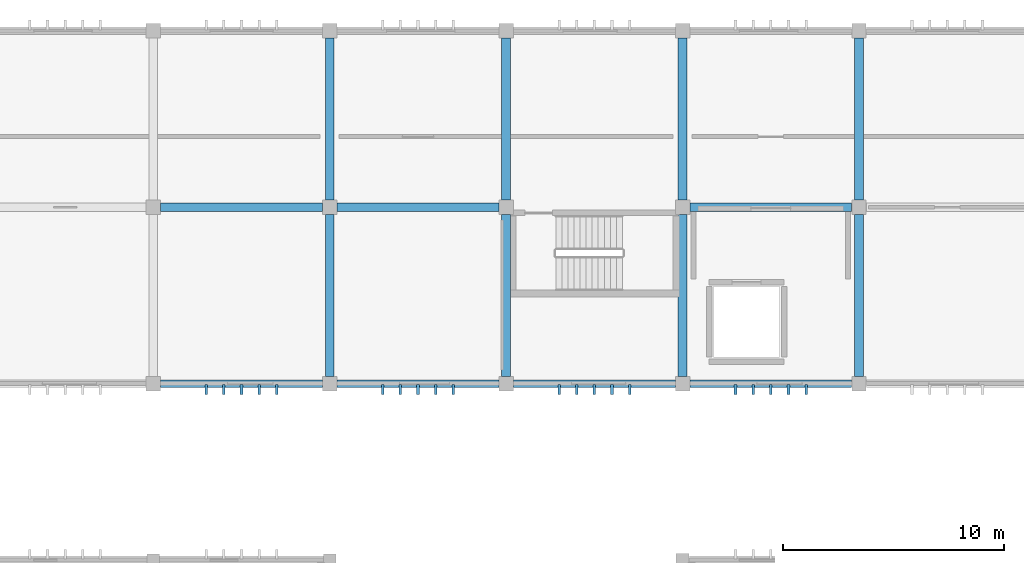
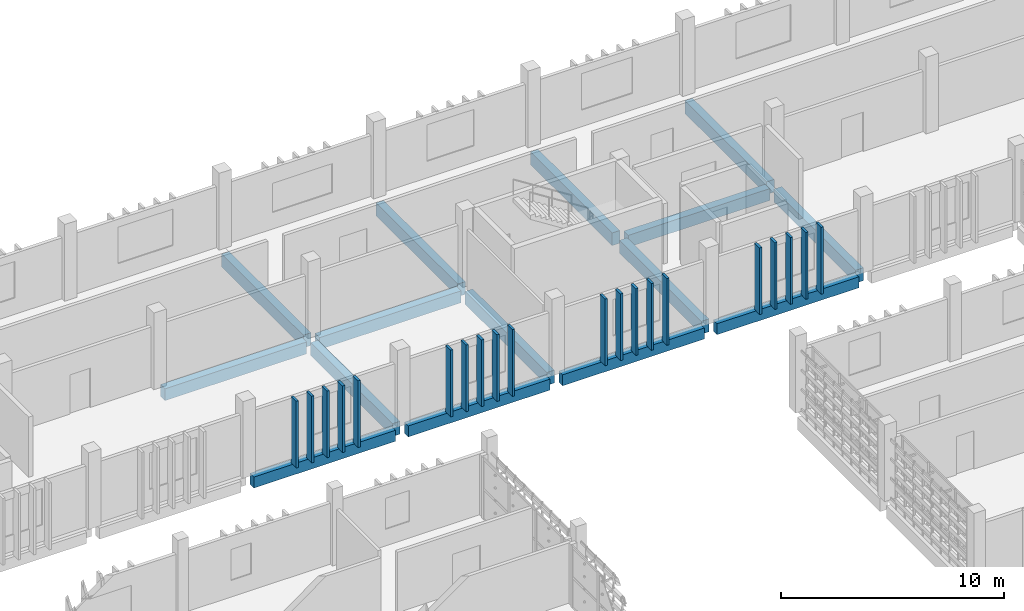
# One storey, part 25 of 63: 20 members, 15 beams.
"""IFC4 building model written with IfcOpenShell, lengths in metres."""

from ifc_helpers import new_model, si_unit, direction, frame, origin, origin_2d, place, context, subcontext, project, spatial, rectangle, extrude, material, material_profile, profile_set, type_object, element, save


model = new_model("IFC4")

# Units and contexts
model_context = context("Model", 3, precision=1e-05, world=origin(), true_north=direction((0.0, 1.0)))
body_context = subcontext(model_context, "Body", "Model", "MODEL_VIEW")
ifc_project = project(units=[si_unit("LENGTHUNIT", "METRE"), si_unit("AREAUNIT", "SQUARE_METRE"), si_unit("VOLUMEUNIT", "CUBIC_METRE"), si_unit("PLANEANGLEUNIT", "RADIAN"), si_unit("MASSUNIT", "GRAM", prefix="KILO")], contexts=[model_context])

# Site, building, storey
site_placement = place(None, origin())
site = spatial("IfcSite", under=ifc_project, at=site_placement, CompositionType="ELEMENT")
building_placement = place(site_placement, origin())
building = spatial("IfcBuilding", under=site, at=building_placement, Name="Jelvoka-Kovrelna Polytechnic", CompositionType="ELEMENT")
storey_placement = place(building_placement, frame((0.0, 0.0, 18.0)))
storey = spatial("IfcBuildingStorey", under=building, at=storey_placement, Name="L05", CompositionType="ELEMENT", Elevation=18.0)

# Beams
ifc_material_1 = material(Name="Concrete C40/50", Category="concrete")
ifc_material_profile_1 = material_profile(ifc_material_1, rectangle(XDim=0.39990234375, YDim=0.64990234375, at=origin_2d()), Name="RC 400x650")
ifc_profile_set_1 = profile_set([ifc_material_profile_1], Name="Concrete C40/50")
beam_type_1 = type_object("IfcBeamType", Name="Beam_RC_400x650", PredefinedType="BEAM", material=ifc_profile_set_1)
for number, where, z_axis, x_axis, name in (
    (1, (104.330078125, 64.0, -0.574951171875), (1.0, 0.0, 0.0), (0.0, 1.0, 0.0), "L05 beam 1517"),
    (2, (112.330078125, 64.0, -0.574951171875), (1.0, 0.0, 0.0), (0.0, 1.0, 0.0), "L05 beam 1551"),
    (3, (128.330078125, 64.0, -0.574951171875), (1.0, 0.0, 0.0), (0.0, 1.0, 0.0), "L05 beam 1552"),
):
    element("IfcBeam", number, at=place(storey_placement, frame(where, z_axis=z_axis, x_axis=x_axis)), inside=storey, type_object=beam_type_1, Name=name, PredefinedType="BEAM", context=body_context, shape_type="SweptSolid", body=[
        extrude(rectangle(XDim=0.39990234375, YDim=0.64990234375, at=origin_2d()), origin(), (0.0, 0.0, 1.0), 7.33984375),
    ])
ifc_material_2 = material(Name="Concrete C40/50", Category="concrete")
ifc_material_profile_2 = material_profile(ifc_material_2, rectangle(XDim=0.39990234375, YDim=0.699951171875, at=origin_2d()), Name="RC 400x700")
ifc_profile_set_2 = profile_set([ifc_material_profile_2], Name="Concrete C40/50")
beam_type_2 = type_object("IfcBeamType", Name="Beam_RC_400x700", PredefinedType="BEAM", material=ifc_profile_set_2)
for number, where, z_axis, x_axis, name in (
    (4, (112.0, 56.330078125, -0.60009765625), (0.0, 1.0, 0.0), (-1.0, 0.0, 0.0), "L05 beam 1539"),
    (5, (112.0, 64.330078125, -0.60009765625), (0.0, 1.0, 0.0), (-1.0, 0.0, 0.0), "L05 beam 1540"),
    (6, (120.0, 56.330078125, -0.60009765625), (0.0, 1.0, 0.0), (-1.0, 0.0, 0.0), "L05 beam 1569"),
    (7, (120.0, 64.330078125, -0.60009765625), (0.0, 1.0, 0.0), (-1.0, 0.0, 0.0), "L05 beam 1570"),
    (8, (128.0, 56.330078125, -0.60009765625), (0.0, 1.0, 0.0), (-1.0, 0.0, 0.0), "L05 beam 1571"),
    (9, (128.0, 64.330078125, -0.60009765625), (0.0, 1.0, 0.0), (-1.0, 0.0, 0.0), "L05 beam 1572"),
    (10, (136.0, 56.330078125, -0.60009765625), (0.0, 1.0, 0.0), (-1.0, 0.0, 0.0), "L05 beam 1573"),
    (11, (136.0, 64.330078125, -0.60009765625), (0.0, 1.0, 0.0), (-1.0, 0.0, 0.0), "L05 beam 1574"),
):
    element("IfcBeam", number, at=place(storey_placement, frame(where, z_axis=z_axis, x_axis=x_axis)), inside=storey, type_object=beam_type_2, Name=name, PredefinedType="BEAM", context=body_context, shape_type="SweptSolid", body=[
        extrude(rectangle(XDim=0.39990234375, YDim=0.699951171875, at=origin_2d()), origin(), (0.0, 0.0, 1.0), 7.33984375),
    ])

# Members
ifc_material_3 = material(Name="Precast concrete C40/50", Category="concrete")
ifc_material_profile_3 = material_profile(ifc_material_3, rectangle(XDim=0.1201171875, YDim=0.449951171875, at=origin_2d()), Name="PC 120x450")
ifc_profile_set_3 = profile_set([ifc_material_profile_3], Name="Precast concrete C40/50")
member_type = type_object("IfcMemberType", Name="Louvre_Fin_120x450", PredefinedType="USERDEFINED", material=ifc_profile_set_3)
for number, where, z_axis, x_axis, name in (
    (12, (106.39990234375, 55.735107421875, -0.27001953125), (0.0, 0.0, 1.0), (1.0, 0.0, 0.0), "L05 B3 south vertical solar louvre fin 1836"),
    (13, (107.199951171875, 55.735107421875, -0.27001953125), (0.0, 0.0, 1.0), (1.0, 0.0, 0.0), "L05 B3 south vertical solar louvre fin 1837"),
    (14, (108.0, 55.735107421875, -0.27001953125), (0.0, 0.0, 1.0), (1.0, 0.0, 0.0), "L05 B3 south vertical solar louvre fin 1838"),
    (15, (108.800048828125, 55.735107421875, -0.27001953125), (0.0, 0.0, 1.0), (1.0, 0.0, 0.0), "L05 B3 south vertical solar louvre fin 1839"),
    (16, (109.60009765625, 55.735107421875, -0.27001953125), (0.0, 0.0, 1.0), (1.0, 0.0, 0.0), "L05 B3 south vertical solar louvre fin 1840"),
    (17, (114.39990234375, 55.735107421875, -0.27001953125), (0.0, 0.0, 1.0), (1.0, 0.0, 0.0), "L05 B3 south vertical solar louvre fin 1846"),
    (18, (115.199951171875, 55.735107421875, -0.27001953125), (0.0, 0.0, 1.0), (1.0, 0.0, 0.0), "L05 B3 south vertical solar louvre fin 1847"),
    (19, (116.0, 55.735107421875, -0.27001953125), (0.0, 0.0, 1.0), (1.0, 0.0, 0.0), "L05 B3 south vertical solar louvre fin 1848"),
    (20, (116.800048828125, 55.735107421875, -0.27001953125), (0.0, 0.0, 1.0), (1.0, 0.0, 0.0), "L05 B3 south vertical solar louvre fin 1849"),
    (21, (117.60009765625, 55.735107421875, -0.27001953125), (0.0, 0.0, 1.0), (1.0, 0.0, 0.0), "L05 B3 south vertical solar louvre fin 1850"),
    (22, (122.39990234375, 55.735107421875, -0.27001953125), (0.0, 0.0, 1.0), (1.0, 0.0, 0.0), "L05 B3 south vertical solar louvre fin 1856"),
    (23, (123.199951171875, 55.735107421875, -0.27001953125), (0.0, 0.0, 1.0), (1.0, 0.0, 0.0), "L05 B3 south vertical solar louvre fin 1857"),
    (24, (124.0, 55.735107421875, -0.27001953125), (0.0, 0.0, 1.0), (1.0, 0.0, 0.0), "L05 B3 south vertical solar louvre fin 1858"),
    (25, (124.800048828125, 55.735107421875, -0.27001953125), (0.0, 0.0, 1.0), (1.0, 0.0, 0.0), "L05 B3 south vertical solar louvre fin 1859"),
    (26, (125.60009765625, 55.735107421875, -0.27001953125), (0.0, 0.0, 1.0), (1.0, 0.0, 0.0), "L05 B3 south vertical solar louvre fin 1860"),
    (27, (130.39990234375, 55.735107421875, -0.27001953125), (0.0, 0.0, 1.0), (1.0, 0.0, 0.0), "L05 B3 south vertical solar louvre fin 1866"),
    (28, (131.199951171875, 55.735107421875, -0.27001953125), (0.0, 0.0, 1.0), (1.0, 0.0, 0.0), "L05 B3 south vertical solar louvre fin 1867"),
    (29, (132.0, 55.735107421875, -0.27001953125), (0.0, 0.0, 1.0), (1.0, 0.0, 0.0), "L05 B3 south vertical solar louvre fin 1868"),
    (30, (132.800048828125, 55.735107421875, -0.27001953125), (0.0, 0.0, 1.0), (1.0, 0.0, 0.0), "L05 B3 south vertical solar louvre fin 1869"),
    (31, (133.60009765625, 55.735107421875, -0.27001953125), (0.0, 0.0, 1.0), (1.0, 0.0, 0.0), "L05 B3 south vertical solar louvre fin 1870"),
):
    element("IfcMember", number, at=place(storey_placement, frame(where, z_axis=z_axis, x_axis=x_axis)), inside=storey, type_object=member_type, Name=name, ObjectType="SUNSHADE", PredefinedType="USERDEFINED", context=body_context, shape_type="SweptSolid", body=[
        extrude(rectangle(XDim=0.1201171875, YDim=0.449951171875, at=origin_2d()), origin(), (0.0, 0.0, 1.0), 3.655029296875),
    ])

# Beams
ifc_material_4 = material(Name="Concrete C40/50", Category="concrete")
ifc_material_profile_4 = material_profile(ifc_material_4, rectangle(XDim=0.35009765625, YDim=0.60009765625, at=origin_2d()), Name="RC 350x600")
ifc_profile_set_4 = profile_set([ifc_material_profile_4], Name="Concrete C40/50")
beam_type_3 = type_object("IfcBeamType", Name="Spandrel_RC_350x600", PredefinedType="SPANDREL", material=ifc_profile_set_4)
for number, where, z_axis, x_axis, name in (
    (32, (104.330078125, 56.0, -0.550048828125), (1.0, 0.0, 0.0), (0.0, 1.0, 0.0), "L05 beam 1511"),
    (33, (112.330078125, 56.0, -0.550048828125), (1.0, 0.0, 0.0), (0.0, 1.0, 0.0), "L05 beam 1541"),
    (34, (120.330078125, 56.0, -0.550048828125), (1.0, 0.0, 0.0), (0.0, 1.0, 0.0), "L05 beam 1542"),
    (35, (128.330078125, 56.0, -0.550048828125), (1.0, 0.0, 0.0), (0.0, 1.0, 0.0), "L05 beam 1543"),
):
    element("IfcBeam", number, at=place(storey_placement, frame(where, z_axis=z_axis, x_axis=x_axis)), inside=storey, type_object=beam_type_3, Name=name, PredefinedType="SPANDREL", context=body_context, shape_type="SweptSolid", body=[
        extrude(rectangle(XDim=0.35009765625, YDim=0.60009765625, at=origin_2d()), origin(), (0.0, 0.0, 1.0), 7.33984375),
    ])

save(model, "model.ifc")
